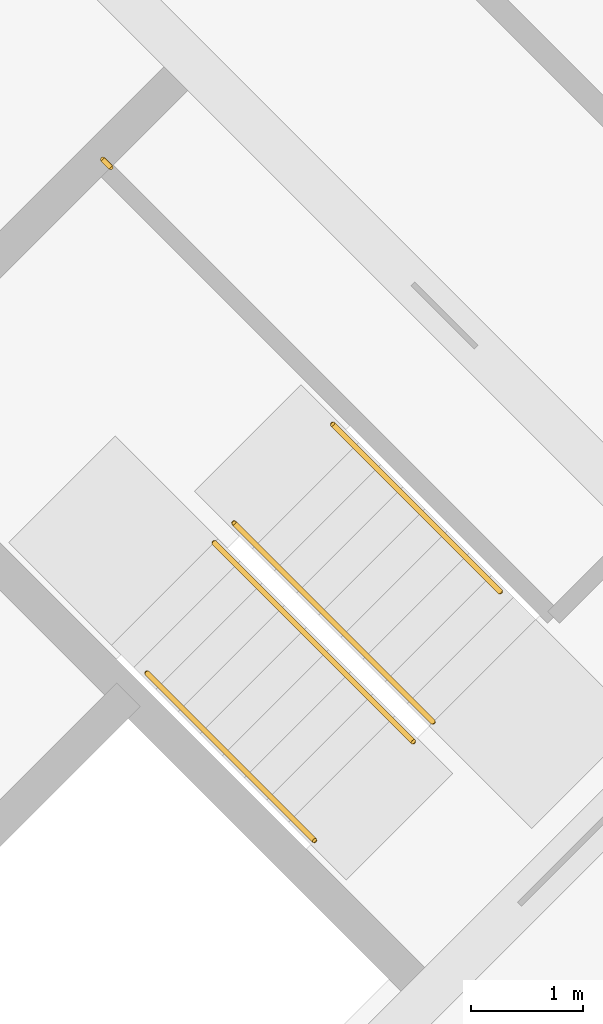
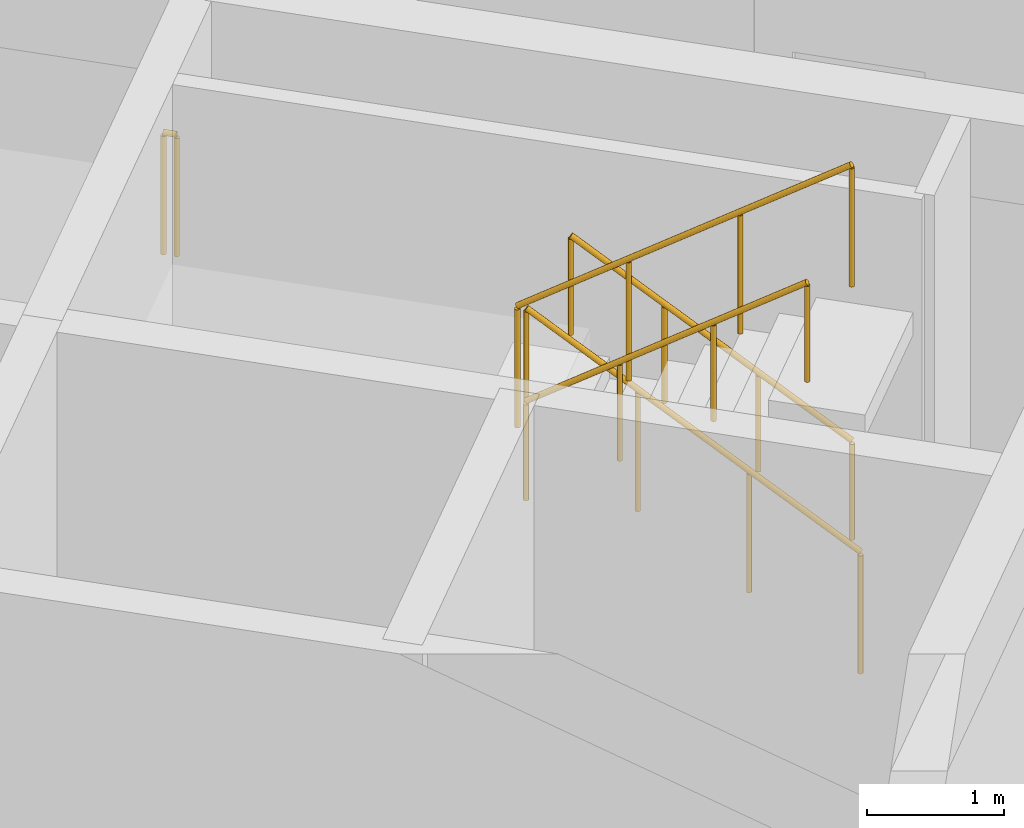
# One storey, part 13 of 13: 5 railings.
"""IFC4 building model written with IfcOpenShell, lengths in metres."""

from ifc_helpers import new_model, si_unit, direction, frame, origin, origin_2d, place, context, subcontext, project, spatial, circle, extrude, material, type_object, element, save


model = new_model("IFC4")

# Units and contexts
model_context = context("Model", 3, precision=1e-05, world=origin(), true_north=direction((0.0, 1.0)))
body_context = subcontext(model_context, "Body", "Model", "MODEL_VIEW")
ifc_project = project(units=[si_unit("LENGTHUNIT", "METRE"), si_unit("AREAUNIT", "SQUARE_METRE"), si_unit("VOLUMEUNIT", "CUBIC_METRE"), si_unit("PLANEANGLEUNIT", "RADIAN"), si_unit("MASSUNIT", "GRAM", prefix="KILO")], contexts=[model_context])

# Site, building, storey
site_placement = place(None, origin())
site = spatial("IfcSite", under=ifc_project, at=site_placement, CompositionType="ELEMENT")
building_placement = place(site_placement, origin())
building = spatial("IfcBuilding", under=site, at=building_placement, Name="Windrow Commons", CompositionType="ELEMENT")
storey_placement = place(building_placement, frame((0.0, 0.0, 294.4)))
storey = spatial("IfcBuildingStorey", under=building, at=storey_placement, Name="L80", CompositionType="ELEMENT", Elevation=294.4)

# Railings
ifc_material_1 = material(Name="Steel S355", Category="steel")
railing_type_1 = type_object("IfcRailingType", Name="Core stair guard 1100", PredefinedType="GUARDRAIL", material=ifc_material_1)
railing_1_placement = place(storey_placement, frame((94.2296, 48.4215, 0.19)))
element("IfcRailing", 1, at=railing_1_placement, inside=storey, type_object=railing_type_1, Name="L80 ST-B2 stair guard 1", PredefinedType="GUARDRAIL", context=body_context, shape_type="SweptSolid", body=[
    extrude(circle(Radius=0.024, at=origin_2d()), frame((0.0, 0.0, 1.076), z_axis=(-0.5851343845, 0.5851015486, 0.5614925911), x_axis=(-0.7070869401, -0.7071266217, 0.0)), (0.0, 0.0, 1.0), 3.0455),
    extrude(circle(Radius=0.021, at=origin_2d()), origin(), (0.0, 0.0, 1.0), 1.052),
    extrude(circle(Radius=0.021, at=origin_2d()), frame((-0.594, 0.594, 0.57)), (0.0, 0.0, 1.0), 1.052),
    extrude(circle(Radius=0.021, at=origin_2d()), frame((-1.188, 1.1879, 1.14)), (0.0, 0.0, 1.0), 1.052),
    extrude(circle(Radius=0.021, at=origin_2d()), frame((-1.782, 1.7819, 1.71)), (0.0, 0.0, 1.0), 1.052),
])
railing_2_placement = place(storey_placement, frame((92.2709, 50.0267, 2.09)))
element("IfcRailing", 2, at=railing_2_placement, inside=storey, type_object=railing_type_1, Name="L80 ST-B2 stair guard 2", PredefinedType="GUARDRAIL", context=body_context, shape_type="SweptSolid", body=[
    extrude(circle(Radius=0.024, at=origin_2d()), frame((0.0, 0.0, 1.076), z_axis=(0.5851015486, -0.5851343845, 0.5614925911), x_axis=(0.7071266217, 0.7070869401, 0.0)), (0.0, 0.0, 1.0), 3.0455),
    extrude(circle(Radius=0.021, at=origin_2d()), origin(), (0.0, 0.0, 1.0), 1.052),
    extrude(circle(Radius=0.021, at=origin_2d()), frame((0.594, -0.594, 0.57)), (0.0, 0.0, 1.0), 1.052),
    extrude(circle(Radius=0.021, at=origin_2d()), frame((1.1879, -1.188, 1.14)), (0.0, 0.0, 1.0), 1.052),
    extrude(circle(Radius=0.021, at=origin_2d()), frame((1.7819, -1.782, 1.71)), (0.0, 0.0, 1.0), 1.052),
])
railing_3_placement = place(storey_placement, frame((91.3446, 53.3854, 1.9)))
element("IfcRailing", 3, at=railing_3_placement, inside=storey, type_object=railing_type_1, Name="L80 ST-B2 stair guard 3", PredefinedType="GUARDRAIL", context=body_context, shape_type="SweptSolid", body=[
    extrude(circle(Radius=0.024, at=origin_2d()), frame((0.0, 0.0, 1.076), z_axis=(-0.7076063266, 0.7066068826, 0.0), x_axis=(-0.7066068826, -0.7076063266, 0.0)), (0.0, 0.0, 1.0), 0.1001),
    extrude(circle(Radius=0.021, at=origin_2d()), origin(), (0.0, 0.0, 1.0), 1.052),
    extrude(circle(Radius=0.021, at=origin_2d()), frame((-0.0708, 0.0707, 0.0)), (0.0, 0.0, 1.0), 1.052),
])
ifc_material_2 = material(Name="Steel S355", Category="steel")
railing_type_2 = type_object("IfcRailingType", Name="Core stair handrail 900", PredefinedType="HANDRAIL", material=ifc_material_2)
railing_4_placement = place(storey_placement, frame((94.8306, 49.5883, 0.4614)))
element("IfcRailing", 4, at=railing_4_placement, inside=storey, type_object=railing_type_2, Name="L80 ST-B2 stair handrail 1", PredefinedType="HANDRAIL", context=body_context, shape_type="SweptSolid", body=[
    extrude(circle(Radius=0.024, at=origin_2d()), frame((0.0, 0.0, 0.876), z_axis=(-0.5851275679, 0.5850885359, 0.561513254), x_axis=(-0.7070831956, -0.707130366, 0.0)), (0.0, 0.0, 1.0), 2.562),
    extrude(circle(Radius=0.021, at=origin_2d()), origin(), (0.0, 0.0, 1.0), 0.852),
    extrude(circle(Radius=0.021, at=origin_2d()), frame((-0.4997, 0.4997, 0.4795)), (0.0, 0.0, 1.0), 0.852),
    extrude(circle(Radius=0.021, at=origin_2d()), frame((-0.9994, 0.9993, 0.9591)), (0.0, 0.0, 1.0), 0.852),
    extrude(circle(Radius=0.021, at=origin_2d()), frame((-1.4991, 1.499, 1.4386)), (0.0, 0.0, 1.0), 0.852),
])
railing_5_placement = place(storey_placement, frame((91.6698, 48.8599, 2.3614)))
element("IfcRailing", 5, at=railing_5_placement, inside=storey, type_object=railing_type_2, Name="L80 ST-B2 stair handrail 2", PredefinedType="HANDRAIL", context=body_context, shape_type="SweptSolid", body=[
    extrude(circle(Radius=0.024, at=origin_2d()), frame((0.0, 0.0, 0.876), z_axis=(0.5851275679, -0.5850885359, 0.561513254), x_axis=(0.7070831956, 0.707130366, 0.0)), (0.0, 0.0, 1.0), 2.562),
    extrude(circle(Radius=0.021, at=origin_2d()), origin(), (0.0, 0.0, 1.0), 0.852),
    extrude(circle(Radius=0.021, at=origin_2d()), frame((0.4997, -0.4997, 0.4795)), (0.0, 0.0, 1.0), 0.852),
    extrude(circle(Radius=0.021, at=origin_2d()), frame((0.9994, -0.9993, 0.9591)), (0.0, 0.0, 1.0), 0.852),
    extrude(circle(Radius=0.021, at=origin_2d()), frame((1.4991, -1.499, 1.4386)), (0.0, 0.0, 1.0), 0.852),
])

save(model, "model.ifc")
